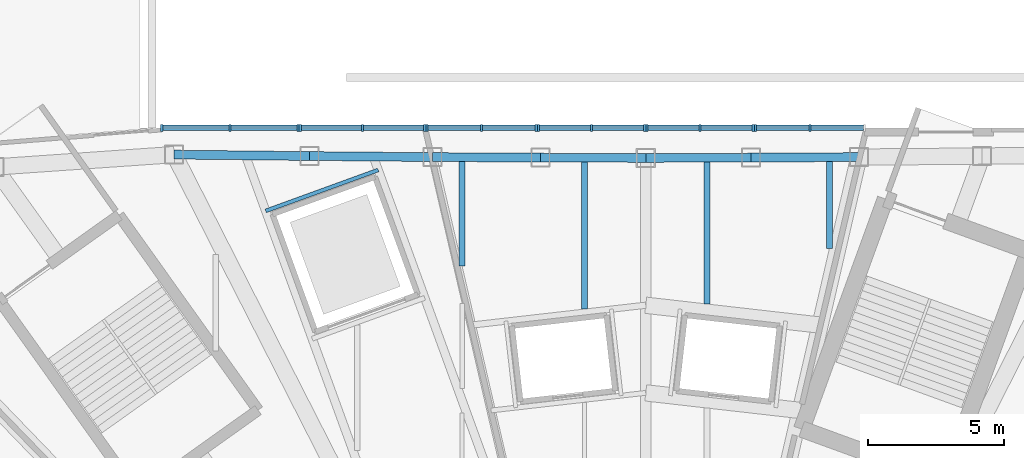
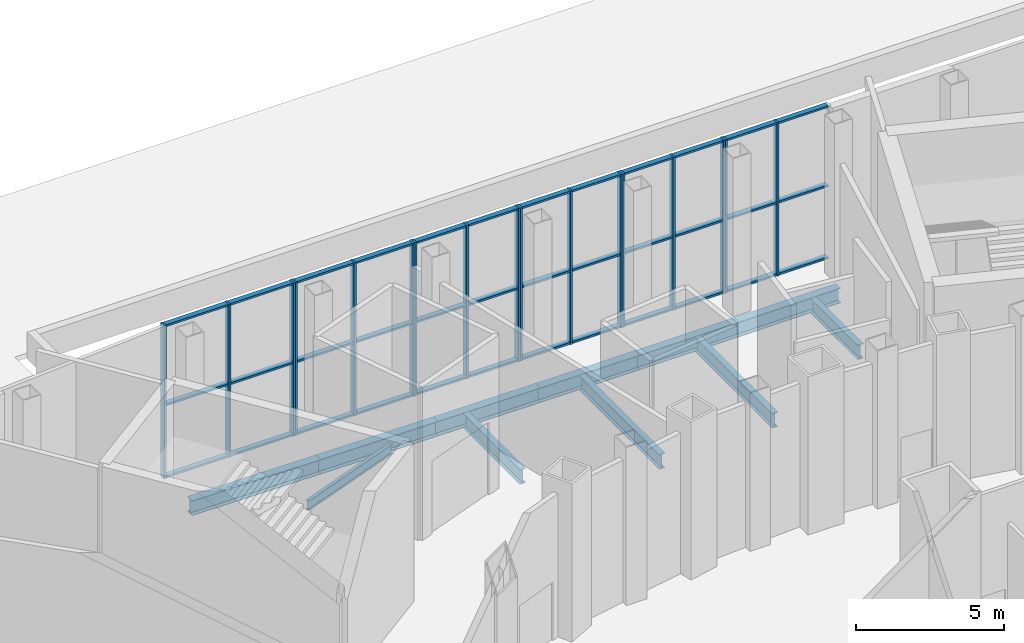
# One storey, part 11 of 47: 53 members, 11 beams, 6 elements without a shape of their own.
"""IFC4 building model written with IfcOpenShell, lengths in metres."""

from ifc_helpers import new_model, si_unit, direction, frame, origin, origin_2d, place, context, subcontext, project, spatial, rectangle, i_section, extrude, material, material_profile, profile_set, type_object, element, aggregate, save


model = new_model("IFC4")

# Units and contexts
model_context = context("Model", 3, precision=1e-05, world=origin(), true_north=direction((0.0, 1.0)))
body_context = subcontext(model_context, "Body", "Model", "MODEL_VIEW")
ifc_project = project(units=[si_unit("LENGTHUNIT", "METRE"), si_unit("AREAUNIT", "SQUARE_METRE"), si_unit("VOLUMEUNIT", "CUBIC_METRE"), si_unit("PLANEANGLEUNIT", "RADIAN"), si_unit("MASSUNIT", "GRAM", prefix="KILO")], contexts=[model_context])

# Site, building, storey
site_placement = place(None, origin())
site = spatial("IfcSite", under=ifc_project, at=site_placement, CompositionType="ELEMENT")
building_placement = place(site_placement, origin())
building = spatial("IfcBuilding", under=site, at=building_placement, Name="Lantaw Convention Tower", CompositionType="ELEMENT")
storey_placement = place(building_placement, origin())
storey = spatial("IfcBuildingStorey", under=building, at=storey_placement, Name="L00", CompositionType="ELEMENT", Elevation=0.0)

# Beams
ifc_material_1 = material(Name="Steel ASTM A992", Category="steel")
ifc_material_profile_1 = material_profile(ifc_material_1, i_section(OverallWidth=0.3251953125, OverallDepth=0.612060546875, WebThickness=0.0126953125, FlangeThickness=0.01904296875, FilletRadius=0.0126953125, at=origin_2d()), Name="W24X104")
ifc_profile_set_1 = profile_set([ifc_material_profile_1], Name="Steel ASTM A992")
beam_type_1 = type_object("IfcBeamType", Name="Beam E W24X104", PredefinedType="SPANDREL", material=ifc_profile_set_1)
beam_1_placement = place(storey_placement, frame((7.8330078125, 33.92822265625, -0.756103515625), z_axis=(-0.999985686096, -0.005350476918, 0.0), x_axis=(0.005350476918, -0.999985686096, 0.0)))
element("IfcBeam", 1, at=beam_1_placement, inside=storey, type_object=beam_type_1, Name="Podium edge beam R05", PredefinedType="SPANDREL", context=body_context, shape_type="SweptSolid", body=[
    extrude(i_section(OverallWidth=0.3251953125, OverallDepth=0.612060546875, WebThickness=0.0126953125, FlangeThickness=0.01904296875, FilletRadius=0.0126953125, at=origin_2d()), origin(), (0.0, 0.0, 1.0), 3.9697265625),
])
for number, where, z_axis, x_axis, name in (
    (2, (3.86328125, 33.906982421875, -0.756103515625), (-0.999998320684, -0.001832656174, 0.0), (0.001832656174, -0.999998320684, 0.0), "Podium edge beam B05"),
    (3, (0.0, 33.89990234375, -0.756103515625), (-0.999998320684, 0.001832656174, 0.0), (-0.001832656174, -0.999998320684, 0.0), "Podium edge beam R06"),
):
    element("IfcBeam", number, at=place(storey_placement, frame(where, z_axis=z_axis, x_axis=x_axis)), inside=storey, type_object=beam_type_1, Name=name, PredefinedType="SPANDREL", context=body_context, shape_type="SweptSolid", body=[
        extrude(i_section(OverallWidth=0.3251953125, OverallDepth=0.612060546875, WebThickness=0.0126953125, FlangeThickness=0.01904296875, FilletRadius=0.0126953125, at=origin_2d()), origin(), (0.0, 0.0, 1.0), 3.86328125),
    ])
beam_2_placement = place(storey_placement, frame((-3.86328125, 33.906982421875, -0.756103515625), z_axis=(-0.999985686096, 0.005350476918, 0.0), x_axis=(-0.005350476918, -0.999985686096, 0.0)))
element("IfcBeam", 4, at=beam_2_placement, inside=storey, type_object=beam_type_1, Name="Podium edge beam B06", PredefinedType="SPANDREL", context=body_context, shape_type="SweptSolid", body=[
    extrude(i_section(OverallWidth=0.3251953125, OverallDepth=0.612060546875, WebThickness=0.0126953125, FlangeThickness=0.01904296875, FilletRadius=0.0126953125, at=origin_2d()), origin(), (0.0, 0.0, 1.0), 3.9697265625),
])
beam_3_placement = place(storey_placement, frame((-7.8330078125, 33.92822265625, -0.756103515625), z_axis=(-0.999964655563, 0.00840759331, 0.0), x_axis=(-0.00840759331, -0.999964655563, 0.0)))
element("IfcBeam", 5, at=beam_3_placement, inside=storey, type_object=beam_type_1, Name="Podium edge beam R07", PredefinedType="SPANDREL", context=body_context, shape_type="SweptSolid", body=[
    extrude(i_section(OverallWidth=0.3251953125, OverallDepth=0.612060546875, WebThickness=0.0126953125, FlangeThickness=0.01904296875, FilletRadius=0.0126953125, at=origin_2d()), origin(), (0.0, 0.0, 1.0), 4.530029296875),
])
beam_4_placement = place(storey_placement, frame((-12.36279296875, 33.96630859375, -0.756103515625), z_axis=(-0.999942166471, 0.010754706535, 0.0), x_axis=(-0.010754706535, -0.999942166471, 0.0)))
element("IfcBeam", 6, at=beam_4_placement, inside=storey, type_object=beam_type_1, Name="Podium edge beam B07", PredefinedType="SPANDREL", context=body_context, shape_type="SweptSolid", body=[
    extrude(i_section(OverallWidth=0.3251953125, OverallDepth=0.612060546875, WebThickness=0.0126953125, FlangeThickness=0.01904296875, FilletRadius=0.0126953125, at=origin_2d()), origin(), (0.0, 0.0, 1.0), 4.971435546875),
])
ifc_material_profile_2 = material_profile(ifc_material_1, i_section(OverallWidth=0.227783203125, OverallDepth=0.60205078125, WebThickness=0.010498046875, FlangeThickness=0.014892578125, FilletRadius=0.012939453125, at=origin_2d()), Name="W24X68")
ifc_profile_set_2 = profile_set([ifc_material_profile_2], Name="Steel ASTM A992")
beam_type_2 = type_object("IfcBeamType", Name="Beam J W24X68", PredefinedType="JOIST", material=ifc_profile_set_2)
beam_5_placement = place(storey_placement, frame((-6.75, 29.920654296875, -0.7509765625), z_axis=(0.0, 1.0, 0.0), x_axis=(-1.0, 0.0, 0.0)))
element("IfcBeam", 7, at=beam_5_placement, inside=storey, type_object=beam_type_2, Name="Floor joist", PredefinedType="JOIST", context=body_context, shape_type="SweptSolid", body=[
    extrude(i_section(OverallWidth=0.227783203125, OverallDepth=0.60205078125, WebThickness=0.010498046875, FlangeThickness=0.014892578125, FilletRadius=0.012939453125, at=origin_2d()), origin(), (0.0, 0.0, 1.0), 3.839111328125),
])
beam_6_placement = place(storey_placement, frame((-2.25, 28.342041015625, -0.7509765625), z_axis=(0.0, 1.0, 0.0), x_axis=(-1.0, 0.0, 0.0)))
element("IfcBeam", 8, at=beam_6_placement, inside=storey, type_object=beam_type_2, Name="Floor joist", PredefinedType="JOIST", context=body_context, shape_type="SweptSolid", body=[
    extrude(i_section(OverallWidth=0.227783203125, OverallDepth=0.60205078125, WebThickness=0.010498046875, FlangeThickness=0.014892578125, FilletRadius=0.012939453125, at=origin_2d()), origin(), (0.0, 0.0, 1.0), 5.3994140625),
])
beam_7_placement = place(storey_placement, frame((2.25, 28.528564453125, -0.7509765625), z_axis=(0.0, 1.0, 0.0), x_axis=(-1.0, 0.0, 0.0)))
element("IfcBeam", 9, at=beam_7_placement, inside=storey, type_object=beam_type_2, Name="Floor joist", PredefinedType="JOIST", context=body_context, shape_type="SweptSolid", body=[
    extrude(i_section(OverallWidth=0.227783203125, OverallDepth=0.60205078125, WebThickness=0.010498046875, FlangeThickness=0.014892578125, FilletRadius=0.012939453125, at=origin_2d()), origin(), (0.0, 0.0, 1.0), 5.212890625),
])
beam_8_placement = place(storey_placement, frame((6.75, 30.571044921875, -0.7509765625), z_axis=(0.0, 1.0, 0.0), x_axis=(-1.0, 0.0, 0.0)))
element("IfcBeam", 10, at=beam_8_placement, inside=storey, type_object=beam_type_2, Name="Floor joist", PredefinedType="JOIST", context=body_context, shape_type="SweptSolid", body=[
    extrude(i_section(OverallWidth=0.227783203125, OverallDepth=0.60205078125, WebThickness=0.010498046875, FlangeThickness=0.014892578125, FilletRadius=0.012939453125, at=origin_2d()), origin(), (0.0, 0.0, 1.0), 3.188720703125),
])
ifc_material_profile_3 = material_profile(ifc_material_1, i_section(OverallWidth=0.140380859375, OverallDepth=0.40380859375, WebThickness=0.007080078125, FlangeThickness=0.01123046875, FilletRadius=0.01025390625, at=origin_2d()), Name="W16X31")
ifc_profile_set_3 = profile_set([ifc_material_profile_3], Name="Steel ASTM A992")
beam_type_3 = type_object("IfcBeamType", Name="Beam TR W16X31", PredefinedType="BEAM", material=ifc_profile_set_3)
beam_9_placement = place(storey_placement, frame((-13.9697265625, 31.948974609375, -0.65185546875), z_axis=(0.939696185245, 0.342010349897, 0.0), x_axis=(-0.342010349897, 0.939696185245, 0.0)))
element("IfcBeam", 11, at=beam_9_placement, inside=storey, type_object=beam_type_3, Name="Opening header beam", PredefinedType="BEAM", context=body_context, shape_type="SweptSolid", body=[
    extrude(i_section(OverallWidth=0.140380859375, OverallDepth=0.40380859375, WebThickness=0.007080078125, FlangeThickness=0.01123046875, FilletRadius=0.01025390625, at=origin_2d()), origin(), (0.0, 0.0, 1.0), 4.400146484375),
])

# Curtain wall, members
ifc_material_2 = material(Name="Aluminium framed curtain wall", Category="aluminium")
curtain_wall_type = type_object("IfcCurtainWallType", Name="Podium storefront curtain wall, pale aluminium", PredefinedType="USERDEFINED", material=ifc_material_2)
curtain_wall_1_placement = place(storey_placement, origin())
curtain_wall_1 = element("IfcCurtainWall", 12, at=curtain_wall_1_placement, inside=storey, type_object=curtain_wall_type, Name="Podium storefront curtain wall, pale aluminium L00", ObjectType="STOREFRONT", PredefinedType="USERDEFINED")
ifc_material_3 = material(Name="Aluminium 6063-T6", Category="aluminium")
ifc_material_profile_4 = material_profile(ifc_material_3, rectangle(XDim=0.25, YDim=0.080078125, at=origin_2d()), Name="CW-P mullion 80x250")
ifc_profile_set_4 = profile_set([ifc_material_profile_4], Name="Aluminium 6063-T6")
member_type_1 = type_object("IfcMemberType", Name="CW-P mullion 80x250", PredefinedType="MULLION", material=ifc_profile_set_4)
member_1_placement = place(storey_placement, frame((6.0341796875, 35.0, 0.0), z_axis=(0.0, 0.0, 1.0), x_axis=(0.0, -1.0, 0.0)))
member_1 = element("IfcMember", 13, at=member_1_placement, type_object=member_type_1, Name="CW-P mullion 2", PredefinedType="MULLION", context=body_context, shape_type="SweptSolid", body=[
    extrude(rectangle(XDim=0.25, YDim=0.080078125, at=origin_2d()), origin(), (0.0, 0.0, 1.0), 6.300048828125),
])
member_2_placement = place(storey_placement, frame((4.02783203125, 35.0, 0.0), z_axis=(0.0, 0.0, 1.0), x_axis=(0.0, -1.0, 0.0)))
member_2 = element("IfcMember", 14, at=member_2_placement, type_object=member_type_1, Name="CW-P mullion 3", PredefinedType="MULLION", context=body_context, shape_type="SweptSolid", body=[
    extrude(rectangle(XDim=0.25, YDim=0.080078125, at=origin_2d()), origin(), (0.0, 0.0, 1.0), 6.300048828125),
])

curtain_wall_2_placement = place(storey_placement, origin())
curtain_wall_2 = element("IfcCurtainWall", 15, at=curtain_wall_2_placement, inside=storey, type_object=curtain_wall_type, Name="Podium storefront curtain wall, pale aluminium L00", ObjectType="STOREFRONT", PredefinedType="USERDEFINED")
member_3_placement = place(storey_placement, frame((3.94775390625, 35.0, 0.0), z_axis=(0.0, 0.0, 1.0), x_axis=(0.0, -1.0, 0.0)))
member_3 = element("IfcMember", 16, at=member_3_placement, type_object=member_type_1, Name="CW-P mullion 1", PredefinedType="MULLION", context=body_context, shape_type="SweptSolid", body=[
    extrude(rectangle(XDim=0.25, YDim=0.080078125, at=origin_2d()), origin(), (0.0, 0.0, 1.0), 6.300048828125),
])
member_4_placement = place(storey_placement, frame((1.993896484375, 35.0, 0.0), z_axis=(0.0, 0.0, 1.0), x_axis=(0.0, -1.0, 0.0)))
member_4 = element("IfcMember", 17, at=member_4_placement, type_object=member_type_1, Name="CW-P mullion 2", PredefinedType="MULLION", context=body_context, shape_type="SweptSolid", body=[
    extrude(rectangle(XDim=0.25, YDim=0.080078125, at=origin_2d()), origin(), (0.0, 0.0, 1.0), 6.300048828125),
])
member_5_placement = place(storey_placement, frame((0.0400390625, 35.0, 0.0), z_axis=(0.0, 0.0, 1.0), x_axis=(0.0, -1.0, 0.0)))
member_5 = element("IfcMember", 18, at=member_5_placement, type_object=member_type_1, Name="CW-P mullion 3", PredefinedType="MULLION", context=body_context, shape_type="SweptSolid", body=[
    extrude(rectangle(XDim=0.25, YDim=0.080078125, at=origin_2d()), origin(), (0.0, 0.0, 1.0), 6.300048828125),
])

curtain_wall_3_placement = place(storey_placement, origin())
curtain_wall_3 = element("IfcCurtainWall", 19, at=curtain_wall_3_placement, inside=storey, type_object=curtain_wall_type, Name="Podium storefront curtain wall, pale aluminium L00", ObjectType="STOREFRONT", PredefinedType="USERDEFINED")
member_6_placement = place(storey_placement, frame((-0.0400390625, 35.0, 0.0), z_axis=(0.0, 0.0, 1.0), x_axis=(0.0, -1.0, 0.0)))
member_6 = element("IfcMember", 20, at=member_6_placement, type_object=member_type_1, Name="CW-P mullion 1", PredefinedType="MULLION", context=body_context, shape_type="SweptSolid", body=[
    extrude(rectangle(XDim=0.25, YDim=0.080078125, at=origin_2d()), origin(), (0.0, 0.0, 1.0), 6.300048828125),
])
member_7_placement = place(storey_placement, frame((-1.993896484375, 35.0, 0.0), z_axis=(0.0, 0.0, 1.0), x_axis=(0.0, -1.0, 0.0)))
member_7 = element("IfcMember", 21, at=member_7_placement, type_object=member_type_1, Name="CW-P mullion 2", PredefinedType="MULLION", context=body_context, shape_type="SweptSolid", body=[
    extrude(rectangle(XDim=0.25, YDim=0.080078125, at=origin_2d()), origin(), (0.0, 0.0, 1.0), 6.300048828125),
])
member_8_placement = place(storey_placement, frame((-3.94775390625, 35.0, 0.0), z_axis=(0.0, 0.0, 1.0), x_axis=(0.0, -1.0, 0.0)))
member_8 = element("IfcMember", 22, at=member_8_placement, type_object=member_type_1, Name="CW-P mullion 3", PredefinedType="MULLION", context=body_context, shape_type="SweptSolid", body=[
    extrude(rectangle(XDim=0.25, YDim=0.080078125, at=origin_2d()), origin(), (0.0, 0.0, 1.0), 6.300048828125),
])

curtain_wall_4_placement = place(storey_placement, origin())
curtain_wall_4 = element("IfcCurtainWall", 23, at=curtain_wall_4_placement, inside=storey, type_object=curtain_wall_type, Name="Podium storefront curtain wall, pale aluminium L00", ObjectType="STOREFRONT", PredefinedType="USERDEFINED")
member_9_placement = place(storey_placement, frame((-4.02783203125, 35.0, 0.0), z_axis=(0.0, 0.0, 1.0), x_axis=(0.0, -1.0, 0.0)))
member_9 = element("IfcMember", 24, at=member_9_placement, type_object=member_type_1, Name="CW-P mullion 1", PredefinedType="MULLION", context=body_context, shape_type="SweptSolid", body=[
    extrude(rectangle(XDim=0.25, YDim=0.080078125, at=origin_2d()), origin(), (0.0, 0.0, 1.0), 6.300048828125),
])
member_10_placement = place(storey_placement, frame((-6.0341796875, 35.0, 0.0), z_axis=(0.0, 0.0, 1.0), x_axis=(0.0, -1.0, 0.0)))
member_10 = element("IfcMember", 25, at=member_10_placement, type_object=member_type_1, Name="CW-P mullion 2", PredefinedType="MULLION", context=body_context, shape_type="SweptSolid", body=[
    extrude(rectangle(XDim=0.25, YDim=0.080078125, at=origin_2d()), origin(), (0.0, 0.0, 1.0), 6.300048828125),
])
member_11_placement = place(storey_placement, frame((-8.040283203125, 35.0, 0.0), z_axis=(0.0, 0.0, 1.0), x_axis=(0.0, -1.0, 0.0)))
member_11 = element("IfcMember", 26, at=member_11_placement, type_object=member_type_1, Name="CW-P mullion 3", PredefinedType="MULLION", context=body_context, shape_type="SweptSolid", body=[
    extrude(rectangle(XDim=0.25, YDim=0.080078125, at=origin_2d()), origin(), (0.0, 0.0, 1.0), 6.300048828125),
])

curtain_wall_5_placement = place(storey_placement, origin())
curtain_wall_5 = element("IfcCurtainWall", 27, at=curtain_wall_5_placement, inside=storey, type_object=curtain_wall_type, Name="Podium storefront curtain wall, pale aluminium L00", ObjectType="STOREFRONT", PredefinedType="USERDEFINED")
member_12_placement = place(storey_placement, frame((-8.120361328125, 35.0, 0.0), z_axis=(0.0, 0.0, 1.0), x_axis=(0.0, -1.0, 0.0)))
member_12 = element("IfcMember", 28, at=member_12_placement, type_object=member_type_1, Name="CW-P mullion 1", PredefinedType="MULLION", context=body_context, shape_type="SweptSolid", body=[
    extrude(rectangle(XDim=0.25, YDim=0.080078125, at=origin_2d()), origin(), (0.0, 0.0, 1.0), 6.300048828125),
])
member_13_placement = place(storey_placement, frame((-10.40966796875, 35.0, 0.0), z_axis=(0.0, 0.0, 1.0), x_axis=(0.0, -1.0, 0.0)))
member_13 = element("IfcMember", 29, at=member_13_placement, type_object=member_type_1, Name="CW-P mullion 2", PredefinedType="MULLION", context=body_context, shape_type="SweptSolid", body=[
    extrude(rectangle(XDim=0.25, YDim=0.080078125, at=origin_2d()), origin(), (0.0, 0.0, 1.0), 6.300048828125),
])
member_14_placement = place(storey_placement, frame((-12.698974609375, 35.0, 0.0), z_axis=(0.0, 0.0, 1.0), x_axis=(0.0, -1.0, 0.0)))
member_14 = element("IfcMember", 30, at=member_14_placement, type_object=member_type_1, Name="CW-P mullion 3", PredefinedType="MULLION", context=body_context, shape_type="SweptSolid", body=[
    extrude(rectangle(XDim=0.25, YDim=0.080078125, at=origin_2d()), origin(), (0.0, 0.0, 1.0), 6.300048828125),
])

curtain_wall_6_placement = place(storey_placement, origin())
curtain_wall_6 = element("IfcCurtainWall", 31, at=curtain_wall_6_placement, inside=storey, type_object=curtain_wall_type, Name="Podium storefront curtain wall, pale aluminium L00", ObjectType="STOREFRONT", PredefinedType="USERDEFINED")
member_15_placement = place(storey_placement, frame((-12.779052734375, 35.0, 0.0), z_axis=(0.0, 0.0, 1.0), x_axis=(0.0, -1.0, 0.0)))
member_15 = element("IfcMember", 32, at=member_15_placement, type_object=member_type_1, Name="CW-P mullion 1", PredefinedType="MULLION", context=body_context, shape_type="SweptSolid", body=[
    extrude(rectangle(XDim=0.25, YDim=0.080078125, at=origin_2d()), origin(), (0.0, 0.0, 1.0), 6.300048828125),
])
member_16_placement = place(storey_placement, frame((-15.2861328125, 35.0, 0.0), z_axis=(0.0, 0.0, 1.0), x_axis=(0.0, -1.0, 0.0)))
member_16 = element("IfcMember", 33, at=member_16_placement, type_object=member_type_1, Name="CW-P mullion 2", PredefinedType="MULLION", context=body_context, shape_type="SweptSolid", body=[
    extrude(rectangle(XDim=0.25, YDim=0.080078125, at=origin_2d()), origin(), (0.0, 0.0, 1.0), 6.300048828125),
])
member_17_placement = place(storey_placement, frame((-17.79345703125, 35.0, 0.0), z_axis=(0.0, 0.0, 1.0), x_axis=(0.0, -1.0, 0.0)))
member_17 = element("IfcMember", 34, at=member_17_placement, type_object=member_type_1, Name="CW-P mullion 3", PredefinedType="MULLION", context=body_context, shape_type="SweptSolid", body=[
    extrude(rectangle(XDim=0.25, YDim=0.080078125, at=origin_2d()), origin(), (0.0, 0.0, 1.0), 6.300048828125),
])

# Member
ifc_material_profile_5 = material_profile(ifc_material_3, rectangle(XDim=0.199951171875, YDim=0.080078125, at=origin_2d()), Name="CW-P transom 80x200")
ifc_profile_set_5 = profile_set([ifc_material_profile_5], Name="Aluminium 6063-T6")
member_type_2 = type_object("IfcMemberType", Name="CW-P transom 80x200", PredefinedType="USERDEFINED", material=ifc_profile_set_5)
member_18_placement = place(storey_placement, frame((8.00048828125, 35.0, 0.0400390625), z_axis=(-1.0, 0.0, 0.0), x_axis=(0.0, -1.0, 0.0)))
member_18 = element("IfcMember", 35, at=member_18_placement, type_object=member_type_2, Name="CW-P transom 1.1", ObjectType="TRANSOM", PredefinedType="USERDEFINED", context=body_context, shape_type="SweptSolid", body=[
    extrude(rectangle(XDim=0.199951171875, YDim=0.080078125, at=origin_2d()), origin(), (0.0, 0.0, 1.0), 1.926513671875),
])

member_19_placement = place(storey_placement, frame((8.00048828125, 35.0, 3.0), z_axis=(-1.0, 0.0, 0.0), x_axis=(0.0, -1.0, 0.0)))
member_19 = element("IfcMember", 36, at=member_19_placement, type_object=member_type_2, Name="CW-P transom 1.2", ObjectType="TRANSOM", PredefinedType="USERDEFINED", context=body_context, shape_type="SweptSolid", body=[
    extrude(rectangle(XDim=0.199951171875, YDim=0.080078125, at=origin_2d()), origin(), (0.0, 0.0, 1.0), 1.926513671875),
])

member_20_placement = place(storey_placement, frame((8.00048828125, 35.0, 6.260009765625), z_axis=(-1.0, 0.0, 0.0), x_axis=(0.0, -1.0, 0.0)))
member_20 = element("IfcMember", 37, at=member_20_placement, type_object=member_type_2, Name="CW-P transom 1.3", ObjectType="TRANSOM", PredefinedType="USERDEFINED", context=body_context, shape_type="SweptSolid", body=[
    extrude(rectangle(XDim=0.199951171875, YDim=0.080078125, at=origin_2d()), origin(), (0.0, 0.0, 1.0), 1.926513671875),
])

member_21_placement = place(storey_placement, frame((5.994140625, 35.0, 0.0400390625), z_axis=(-1.0, 0.0, 0.0), x_axis=(0.0, -1.0, 0.0)))
member_21 = element("IfcMember", 38, at=member_21_placement, type_object=member_type_2, Name="CW-P transom 2.1", ObjectType="TRANSOM", PredefinedType="USERDEFINED", context=body_context, shape_type="SweptSolid", body=[
    extrude(rectangle(XDim=0.199951171875, YDim=0.080078125, at=origin_2d()), origin(), (0.0, 0.0, 1.0), 1.926513671875),
])

member_22_placement = place(storey_placement, frame((5.994140625, 35.0, 3.0), z_axis=(-1.0, 0.0, 0.0), x_axis=(0.0, -1.0, 0.0)))
member_22 = element("IfcMember", 39, at=member_22_placement, type_object=member_type_2, Name="CW-P transom 2.2", ObjectType="TRANSOM", PredefinedType="USERDEFINED", context=body_context, shape_type="SweptSolid", body=[
    extrude(rectangle(XDim=0.199951171875, YDim=0.080078125, at=origin_2d()), origin(), (0.0, 0.0, 1.0), 1.926513671875),
])

member_23_placement = place(storey_placement, frame((5.994140625, 35.0, 6.260009765625), z_axis=(-1.0, 0.0, 0.0), x_axis=(0.0, -1.0, 0.0)))
member_23 = element("IfcMember", 40, at=member_23_placement, type_object=member_type_2, Name="CW-P transom 2.3", ObjectType="TRANSOM", PredefinedType="USERDEFINED", context=body_context, shape_type="SweptSolid", body=[
    extrude(rectangle(XDim=0.199951171875, YDim=0.080078125, at=origin_2d()), origin(), (0.0, 0.0, 1.0), 1.926513671875),
])

aggregate(curtain_wall_1, [member_1, member_2, member_18, member_19, member_20, member_21, member_22, member_23])

member_24_placement = place(storey_placement, frame((3.90771484375, 35.0, 0.0400390625), z_axis=(-1.0, 0.0, 0.0), x_axis=(0.0, -1.0, 0.0)))
member_24 = element("IfcMember", 41, at=member_24_placement, type_object=member_type_2, Name="CW-P transom 1.1", ObjectType="TRANSOM", PredefinedType="USERDEFINED", context=body_context, shape_type="SweptSolid", body=[
    extrude(rectangle(XDim=0.199951171875, YDim=0.080078125, at=origin_2d()), origin(), (0.0, 0.0, 1.0), 1.873779296875),
])

member_25_placement = place(storey_placement, frame((3.90771484375, 35.0, 3.0), z_axis=(-1.0, 0.0, 0.0), x_axis=(0.0, -1.0, 0.0)))
member_25 = element("IfcMember", 42, at=member_25_placement, type_object=member_type_2, Name="CW-P transom 1.2", ObjectType="TRANSOM", PredefinedType="USERDEFINED", context=body_context, shape_type="SweptSolid", body=[
    extrude(rectangle(XDim=0.199951171875, YDim=0.080078125, at=origin_2d()), origin(), (0.0, 0.0, 1.0), 1.873779296875),
])

member_26_placement = place(storey_placement, frame((3.90771484375, 35.0, 6.260009765625), z_axis=(-1.0, 0.0, 0.0), x_axis=(0.0, -1.0, 0.0)))
member_26 = element("IfcMember", 43, at=member_26_placement, type_object=member_type_2, Name="CW-P transom 1.3", ObjectType="TRANSOM", PredefinedType="USERDEFINED", context=body_context, shape_type="SweptSolid", body=[
    extrude(rectangle(XDim=0.199951171875, YDim=0.080078125, at=origin_2d()), origin(), (0.0, 0.0, 1.0), 1.873779296875),
])

member_27_placement = place(storey_placement, frame((1.953857421875, 35.0, 0.0400390625), z_axis=(-1.0, 0.0, 0.0), x_axis=(0.0, -1.0, 0.0)))
member_27 = element("IfcMember", 44, at=member_27_placement, type_object=member_type_2, Name="CW-P transom 2.1", ObjectType="TRANSOM", PredefinedType="USERDEFINED", context=body_context, shape_type="SweptSolid", body=[
    extrude(rectangle(XDim=0.199951171875, YDim=0.080078125, at=origin_2d()), origin(), (0.0, 0.0, 1.0), 1.873779296875),
])

member_28_placement = place(storey_placement, frame((1.953857421875, 35.0, 3.0), z_axis=(-1.0, 0.0, 0.0), x_axis=(0.0, -1.0, 0.0)))
member_28 = element("IfcMember", 45, at=member_28_placement, type_object=member_type_2, Name="CW-P transom 2.2", ObjectType="TRANSOM", PredefinedType="USERDEFINED", context=body_context, shape_type="SweptSolid", body=[
    extrude(rectangle(XDim=0.199951171875, YDim=0.080078125, at=origin_2d()), origin(), (0.0, 0.0, 1.0), 1.873779296875),
])

member_29_placement = place(storey_placement, frame((1.953857421875, 35.0, 6.260009765625), z_axis=(-1.0, 0.0, 0.0), x_axis=(0.0, -1.0, 0.0)))
member_29 = element("IfcMember", 46, at=member_29_placement, type_object=member_type_2, Name="CW-P transom 2.3", ObjectType="TRANSOM", PredefinedType="USERDEFINED", context=body_context, shape_type="SweptSolid", body=[
    extrude(rectangle(XDim=0.199951171875, YDim=0.080078125, at=origin_2d()), origin(), (0.0, 0.0, 1.0), 1.873779296875),
])

aggregate(curtain_wall_2, [member_3, member_4, member_5, member_24, member_25, member_26, member_27, member_28, member_29])

member_30_placement = place(storey_placement, frame((-0.080078125, 35.0, 0.0400390625), z_axis=(-1.0, 0.0, 0.0), x_axis=(0.0, -1.0, 0.0)))
member_30 = element("IfcMember", 47, at=member_30_placement, type_object=member_type_2, Name="CW-P transom 1.1", ObjectType="TRANSOM", PredefinedType="USERDEFINED", context=body_context, shape_type="SweptSolid", body=[
    extrude(rectangle(XDim=0.199951171875, YDim=0.080078125, at=origin_2d()), origin(), (0.0, 0.0, 1.0), 1.873779296875),
])

member_31_placement = place(storey_placement, frame((-0.080078125, 35.0, 3.0), z_axis=(-1.0, 0.0, 0.0), x_axis=(0.0, -1.0, 0.0)))
member_31 = element("IfcMember", 48, at=member_31_placement, type_object=member_type_2, Name="CW-P transom 1.2", ObjectType="TRANSOM", PredefinedType="USERDEFINED", context=body_context, shape_type="SweptSolid", body=[
    extrude(rectangle(XDim=0.199951171875, YDim=0.080078125, at=origin_2d()), origin(), (0.0, 0.0, 1.0), 1.873779296875),
])

member_32_placement = place(storey_placement, frame((-0.080078125, 35.0, 6.260009765625), z_axis=(-1.0, 0.0, 0.0), x_axis=(0.0, -1.0, 0.0)))
member_32 = element("IfcMember", 49, at=member_32_placement, type_object=member_type_2, Name="CW-P transom 1.3", ObjectType="TRANSOM", PredefinedType="USERDEFINED", context=body_context, shape_type="SweptSolid", body=[
    extrude(rectangle(XDim=0.199951171875, YDim=0.080078125, at=origin_2d()), origin(), (0.0, 0.0, 1.0), 1.873779296875),
])

member_33_placement = place(storey_placement, frame((-2.033935546875, 35.0, 0.0400390625), z_axis=(-1.0, 0.0, 0.0), x_axis=(0.0, -1.0, 0.0)))
member_33 = element("IfcMember", 50, at=member_33_placement, type_object=member_type_2, Name="CW-P transom 2.1", ObjectType="TRANSOM", PredefinedType="USERDEFINED", context=body_context, shape_type="SweptSolid", body=[
    extrude(rectangle(XDim=0.199951171875, YDim=0.080078125, at=origin_2d()), origin(), (0.0, 0.0, 1.0), 1.873779296875),
])

member_34_placement = place(storey_placement, frame((-2.033935546875, 35.0, 3.0), z_axis=(-1.0, 0.0, 0.0), x_axis=(0.0, -1.0, 0.0)))
member_34 = element("IfcMember", 51, at=member_34_placement, type_object=member_type_2, Name="CW-P transom 2.2", ObjectType="TRANSOM", PredefinedType="USERDEFINED", context=body_context, shape_type="SweptSolid", body=[
    extrude(rectangle(XDim=0.199951171875, YDim=0.080078125, at=origin_2d()), origin(), (0.0, 0.0, 1.0), 1.873779296875),
])

member_35_placement = place(storey_placement, frame((-2.033935546875, 35.0, 6.260009765625), z_axis=(-1.0, 0.0, 0.0), x_axis=(0.0, -1.0, 0.0)))
member_35 = element("IfcMember", 52, at=member_35_placement, type_object=member_type_2, Name="CW-P transom 2.3", ObjectType="TRANSOM", PredefinedType="USERDEFINED", context=body_context, shape_type="SweptSolid", body=[
    extrude(rectangle(XDim=0.199951171875, YDim=0.080078125, at=origin_2d()), origin(), (0.0, 0.0, 1.0), 1.873779296875),
])

aggregate(curtain_wall_3, [member_6, member_7, member_8, member_30, member_31, member_32, member_33, member_34, member_35])

member_36_placement = place(storey_placement, frame((-4.067626953125, 35.0, 0.0400390625), z_axis=(-1.0, 0.0, 0.0), x_axis=(0.0, -1.0, 0.0)))
member_36 = element("IfcMember", 53, at=member_36_placement, type_object=member_type_2, Name="CW-P transom 1.1", ObjectType="TRANSOM", PredefinedType="USERDEFINED", context=body_context, shape_type="SweptSolid", body=[
    extrude(rectangle(XDim=0.199951171875, YDim=0.080078125, at=origin_2d()), origin(), (0.0, 0.0, 1.0), 1.926513671875),
])

member_37_placement = place(storey_placement, frame((-4.067626953125, 35.0, 3.0), z_axis=(-1.0, 0.0, 0.0), x_axis=(0.0, -1.0, 0.0)))
member_37 = element("IfcMember", 54, at=member_37_placement, type_object=member_type_2, Name="CW-P transom 1.2", ObjectType="TRANSOM", PredefinedType="USERDEFINED", context=body_context, shape_type="SweptSolid", body=[
    extrude(rectangle(XDim=0.199951171875, YDim=0.080078125, at=origin_2d()), origin(), (0.0, 0.0, 1.0), 1.926513671875),
])

member_38_placement = place(storey_placement, frame((-4.067626953125, 35.0, 6.260009765625), z_axis=(-1.0, 0.0, 0.0), x_axis=(0.0, -1.0, 0.0)))
member_38 = element("IfcMember", 55, at=member_38_placement, type_object=member_type_2, Name="CW-P transom 1.3", ObjectType="TRANSOM", PredefinedType="USERDEFINED", context=body_context, shape_type="SweptSolid", body=[
    extrude(rectangle(XDim=0.199951171875, YDim=0.080078125, at=origin_2d()), origin(), (0.0, 0.0, 1.0), 1.926513671875),
])

member_39_placement = place(storey_placement, frame((-6.073974609375, 35.0, 0.0400390625), z_axis=(-1.0, 0.0, 0.0), x_axis=(0.0, -1.0, 0.0)))
member_39 = element("IfcMember", 56, at=member_39_placement, type_object=member_type_2, Name="CW-P transom 2.1", ObjectType="TRANSOM", PredefinedType="USERDEFINED", context=body_context, shape_type="SweptSolid", body=[
    extrude(rectangle(XDim=0.199951171875, YDim=0.080078125, at=origin_2d()), origin(), (0.0, 0.0, 1.0), 1.926513671875),
])

member_40_placement = place(storey_placement, frame((-6.073974609375, 35.0, 3.0), z_axis=(-1.0, 0.0, 0.0), x_axis=(0.0, -1.0, 0.0)))
member_40 = element("IfcMember", 57, at=member_40_placement, type_object=member_type_2, Name="CW-P transom 2.2", ObjectType="TRANSOM", PredefinedType="USERDEFINED", context=body_context, shape_type="SweptSolid", body=[
    extrude(rectangle(XDim=0.199951171875, YDim=0.080078125, at=origin_2d()), origin(), (0.0, 0.0, 1.0), 1.926513671875),
])

member_41_placement = place(storey_placement, frame((-6.073974609375, 35.0, 6.260009765625), z_axis=(-1.0, 0.0, 0.0), x_axis=(0.0, -1.0, 0.0)))
member_41 = element("IfcMember", 58, at=member_41_placement, type_object=member_type_2, Name="CW-P transom 2.3", ObjectType="TRANSOM", PredefinedType="USERDEFINED", context=body_context, shape_type="SweptSolid", body=[
    extrude(rectangle(XDim=0.199951171875, YDim=0.080078125, at=origin_2d()), origin(), (0.0, 0.0, 1.0), 1.926513671875),
])

aggregate(curtain_wall_4, [member_9, member_10, member_11, member_36, member_37, member_38, member_39, member_40, member_41])

member_42_placement = place(storey_placement, frame((-8.160400390625, 35.0, 0.0400390625), z_axis=(-1.0, 0.0, 0.0), x_axis=(0.0, -1.0, 0.0)))
member_42 = element("IfcMember", 59, at=member_42_placement, type_object=member_type_2, Name="CW-P transom 1.1", ObjectType="TRANSOM", PredefinedType="USERDEFINED", context=body_context, shape_type="SweptSolid", body=[
    extrude(rectangle(XDim=0.199951171875, YDim=0.080078125, at=origin_2d()), origin(), (0.0, 0.0, 1.0), 2.209228515625),
])

member_43_placement = place(storey_placement, frame((-8.160400390625, 35.0, 3.0), z_axis=(-1.0, 0.0, 0.0), x_axis=(0.0, -1.0, 0.0)))
member_43 = element("IfcMember", 60, at=member_43_placement, type_object=member_type_2, Name="CW-P transom 1.2", ObjectType="TRANSOM", PredefinedType="USERDEFINED", context=body_context, shape_type="SweptSolid", body=[
    extrude(rectangle(XDim=0.199951171875, YDim=0.080078125, at=origin_2d()), origin(), (0.0, 0.0, 1.0), 2.209228515625),
])

member_44_placement = place(storey_placement, frame((-8.160400390625, 35.0, 6.260009765625), z_axis=(-1.0, 0.0, 0.0), x_axis=(0.0, -1.0, 0.0)))
member_44 = element("IfcMember", 61, at=member_44_placement, type_object=member_type_2, Name="CW-P transom 1.3", ObjectType="TRANSOM", PredefinedType="USERDEFINED", context=body_context, shape_type="SweptSolid", body=[
    extrude(rectangle(XDim=0.199951171875, YDim=0.080078125, at=origin_2d()), origin(), (0.0, 0.0, 1.0), 2.209228515625),
])

member_45_placement = place(storey_placement, frame((-10.44970703125, 35.0, 0.0400390625), z_axis=(-1.0, 0.0, 0.0), x_axis=(0.0, -1.0, 0.0)))
member_45 = element("IfcMember", 62, at=member_45_placement, type_object=member_type_2, Name="CW-P transom 2.1", ObjectType="TRANSOM", PredefinedType="USERDEFINED", context=body_context, shape_type="SweptSolid", body=[
    extrude(rectangle(XDim=0.199951171875, YDim=0.080078125, at=origin_2d()), origin(), (0.0, 0.0, 1.0), 2.209228515625),
])

member_46_placement = place(storey_placement, frame((-10.44970703125, 35.0, 3.0), z_axis=(-1.0, 0.0, 0.0), x_axis=(0.0, -1.0, 0.0)))
member_46 = element("IfcMember", 63, at=member_46_placement, type_object=member_type_2, Name="CW-P transom 2.2", ObjectType="TRANSOM", PredefinedType="USERDEFINED", context=body_context, shape_type="SweptSolid", body=[
    extrude(rectangle(XDim=0.199951171875, YDim=0.080078125, at=origin_2d()), origin(), (0.0, 0.0, 1.0), 2.209228515625),
])

member_47_placement = place(storey_placement, frame((-10.44970703125, 35.0, 6.260009765625), z_axis=(-1.0, 0.0, 0.0), x_axis=(0.0, -1.0, 0.0)))
member_47 = element("IfcMember", 64, at=member_47_placement, type_object=member_type_2, Name="CW-P transom 2.3", ObjectType="TRANSOM", PredefinedType="USERDEFINED", context=body_context, shape_type="SweptSolid", body=[
    extrude(rectangle(XDim=0.199951171875, YDim=0.080078125, at=origin_2d()), origin(), (0.0, 0.0, 1.0), 2.209228515625),
])

aggregate(curtain_wall_5, [member_12, member_13, member_14, member_42, member_43, member_44, member_45, member_46, member_47])

member_48_placement = place(storey_placement, frame((-12.81884765625, 35.0, 0.0400390625), z_axis=(-1.0, 0.0, 0.0), x_axis=(0.0, -1.0, 0.0)))
member_48 = element("IfcMember", 65, at=member_48_placement, type_object=member_type_2, Name="CW-P transom 1.1", ObjectType="TRANSOM", PredefinedType="USERDEFINED", context=body_context, shape_type="SweptSolid", body=[
    extrude(rectangle(XDim=0.199951171875, YDim=0.080078125, at=origin_2d()), origin(), (0.0, 0.0, 1.0), 2.42724609375),
])

member_49_placement = place(storey_placement, frame((-12.81884765625, 35.0, 3.0), z_axis=(-1.0, 0.0, 0.0), x_axis=(0.0, -1.0, 0.0)))
member_49 = element("IfcMember", 66, at=member_49_placement, type_object=member_type_2, Name="CW-P transom 1.2", ObjectType="TRANSOM", PredefinedType="USERDEFINED", context=body_context, shape_type="SweptSolid", body=[
    extrude(rectangle(XDim=0.199951171875, YDim=0.080078125, at=origin_2d()), origin(), (0.0, 0.0, 1.0), 2.42724609375),
])

member_50_placement = place(storey_placement, frame((-12.81884765625, 35.0, 6.260009765625), z_axis=(-1.0, 0.0, 0.0), x_axis=(0.0, -1.0, 0.0)))
member_50 = element("IfcMember", 67, at=member_50_placement, type_object=member_type_2, Name="CW-P transom 1.3", ObjectType="TRANSOM", PredefinedType="USERDEFINED", context=body_context, shape_type="SweptSolid", body=[
    extrude(rectangle(XDim=0.199951171875, YDim=0.080078125, at=origin_2d()), origin(), (0.0, 0.0, 1.0), 2.42724609375),
])

member_51_placement = place(storey_placement, frame((-15.326171875, 35.0, 0.0400390625), z_axis=(-1.0, 0.0, 0.0), x_axis=(0.0, -1.0, 0.0)))
member_51 = element("IfcMember", 68, at=member_51_placement, type_object=member_type_2, Name="CW-P transom 2.1", ObjectType="TRANSOM", PredefinedType="USERDEFINED", context=body_context, shape_type="SweptSolid", body=[
    extrude(rectangle(XDim=0.199951171875, YDim=0.080078125, at=origin_2d()), origin(), (0.0, 0.0, 1.0), 2.42724609375),
])

member_52_placement = place(storey_placement, frame((-15.326171875, 35.0, 3.0), z_axis=(-1.0, 0.0, 0.0), x_axis=(0.0, -1.0, 0.0)))
member_52 = element("IfcMember", 69, at=member_52_placement, type_object=member_type_2, Name="CW-P transom 2.2", ObjectType="TRANSOM", PredefinedType="USERDEFINED", context=body_context, shape_type="SweptSolid", body=[
    extrude(rectangle(XDim=0.199951171875, YDim=0.080078125, at=origin_2d()), origin(), (0.0, 0.0, 1.0), 2.42724609375),
])

member_53_placement = place(storey_placement, frame((-15.326171875, 35.0, 6.260009765625), z_axis=(-1.0, 0.0, 0.0), x_axis=(0.0, -1.0, 0.0)))
member_53 = element("IfcMember", 70, at=member_53_placement, type_object=member_type_2, Name="CW-P transom 2.3", ObjectType="TRANSOM", PredefinedType="USERDEFINED", context=body_context, shape_type="SweptSolid", body=[
    extrude(rectangle(XDim=0.199951171875, YDim=0.080078125, at=origin_2d()), origin(), (0.0, 0.0, 1.0), 2.42724609375),
])

aggregate(curtain_wall_6, [member_15, member_16, member_17, member_48, member_49, member_50, member_51, member_52, member_53])

save(model, "model.ifc")
